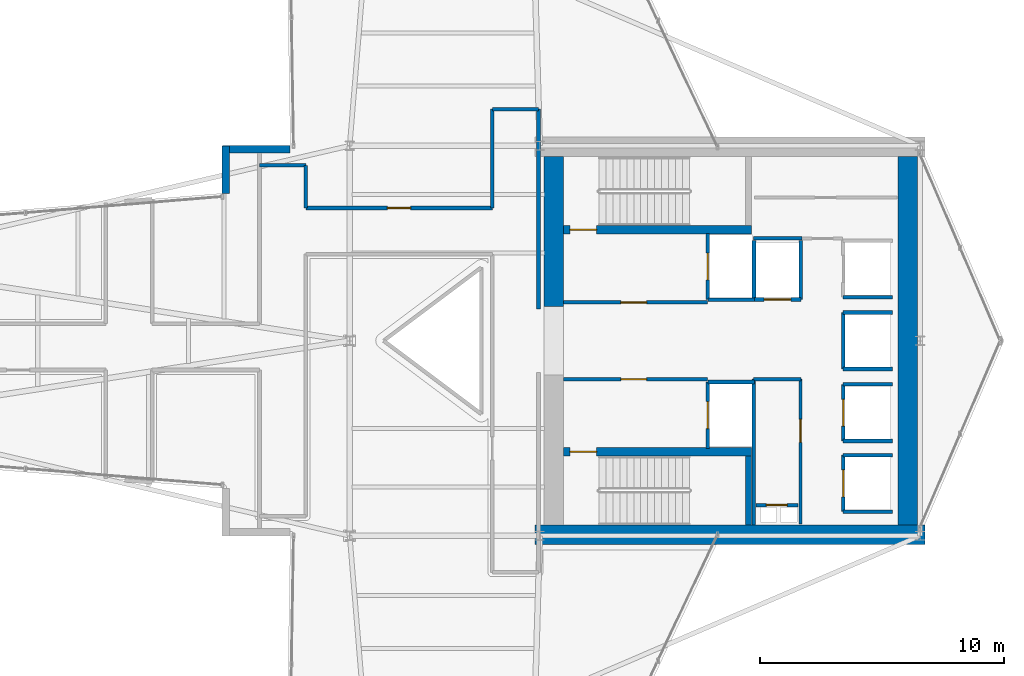
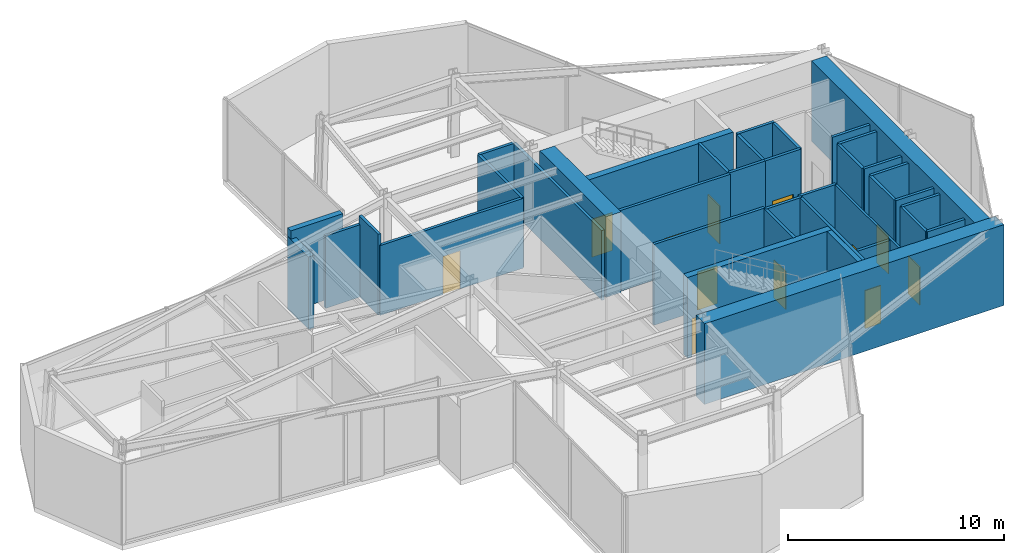
# One storey, part 10 of 13: 38 walls, 12 doors, 12 openings.
"""IFC4 building model written with IfcOpenShell, lengths in metres."""

from ifc_helpers import new_model, si_unit, direction, frame, frame_2d, origin, place, context, subcontext, project, spatial, rectangle, extrude, material, layer, layer_set, type_object, element, fill, save


model = new_model("IFC4")

# Units and contexts
model_context = context("Model", 3, precision=1e-05, world=origin(), true_north=direction((0.0, 1.0)))
body_context = subcontext(model_context, "Body", "Model", "MODEL_VIEW")
ifc_project = project(units=[si_unit("LENGTHUNIT", "METRE"), si_unit("AREAUNIT", "SQUARE_METRE"), si_unit("VOLUMEUNIT", "CUBIC_METRE"), si_unit("PLANEANGLEUNIT", "RADIAN"), si_unit("MASSUNIT", "GRAM", prefix="KILO")], contexts=[model_context])

# Site, building, storey
site_placement = place(None, origin())
site = spatial("IfcSite", under=ifc_project, at=site_placement, CompositionType="ELEMENT")
building_placement = place(site_placement, origin())
building = spatial("IfcBuilding", under=site, at=building_placement, Name="Veymaron Broadcast Tower", CompositionType="ELEMENT")
storey_placement = place(building_placement, frame((0.0, 0.0, 112.050048828125)))
storey = spatial("IfcBuildingStorey", under=building, at=storey_placement, Name="L25", CompositionType="ELEMENT", Elevation=112.050048828125)

# Walls
ifc_material_1 = material(Name="Precast concrete C40/50 with mineral-wool insulation", Category="concrete")
ifc_layer_1 = layer(ifc_material_1, 0.300048828125)
ifc_layer_set_1 = layer_set([ifc_layer_1], Name="Precast concrete C40/50 with mineral-wool insulation")
wall_type_1 = type_object("IfcWallType", Name="WALL-EXT-300", PredefinedType="STANDARD", material=ifc_layer_set_1)
wall_1_placement = place(storey_placement, frame((28.7626953125, 31.860107421875, 0.0), z_axis=(0.0, 0.0, 1.0), x_axis=(-1.0, 0.0, 0.0)))
element("IfcWall", 1, at=wall_1_placement, inside=storey, type_object=wall_type_1, Name="L25 notched corner facade pier 9-1", PredefinedType="STANDARD", context=body_context, shape_type="SweptSolid", body=[
    extrude(rectangle(XDim=2.78662109375, YDim=0.300048828125, at=frame_2d((1.393310546875, 0.0))), origin(), (0.0, 0.0, 1.0), 4.56005859375),
])
wall_2_placement = place(storey_placement, frame((26.115966796875, 32.0, 0.0), z_axis=(0.0, 0.0, 1.0), x_axis=(0.0, -1.0, 0.0)))
element("IfcWall", 2, at=wall_2_placement, inside=storey, type_object=wall_type_1, Name="L25 notched corner facade pier 10-1", PredefinedType="STANDARD", context=body_context, shape_type="SweptSolid", body=[
    extrude(rectangle(XDim=1.94873046875, YDim=0.300048828125, at=frame_2d((0.974365234375, 0.0))), origin(), (0.0, 0.0, 1.0), 4.087890625),
])

# Wall, opening, door
ifc_material_2 = material(Name="Gypsum fireboard and steel stud framing", Category="steel")
ifc_layer_2 = layer(ifc_material_2, 0.14990234375)
ifc_layer_set_2 = layer_set([ifc_layer_2], Name="Gypsum fireboard and steel stud framing")
wall_type_2 = type_object("IfcWallType", Name="WALL-FIRE-150", PredefinedType="PARTITIONING", material=ifc_layer_set_2)
wall_3_placement = place(storey_placement, frame((39.97998046875, 25.574951171875, 0.0), z_axis=(0.0, 0.0, 1.0), x_axis=(1.0, 0.0, 0.0)))
wall_3 = element("IfcWall", 3, at=wall_3_placement, inside=storey, type_object=wall_type_2, Name="L25 partition IW-L25-FFLN-S", PredefinedType="PARTITIONING", context=body_context, shape_type="SweptSolid", body=[
    extrude(rectangle(XDim=5.89990234375, YDim=0.14990234375, at=frame_2d((2.949951171875, 0.0))), origin(), (0.0, 0.0, 1.0), 4.56005859375),
])
opening_1_placement = place(wall_3_placement, frame((2.35009765625, 0.0, 0.0)))
opening_1 = element("IfcOpeningElement", 4, at=opening_1_placement, cuts=wall_3, Name="Opening ID-FL1", PredefinedType="OPENING", context=body_context, shape_type="SweptSolid", body=[
    extrude(rectangle(XDim=1.050048828125, YDim=2.14990234375, at=frame_2d((0.52490234375, 1.074951171875))), frame((0.0, 0.0849609375, 0.0), z_axis=(0.0, -1.0, 0.0), x_axis=(1.0, 0.0, 0.0)), (0.0, 0.0, 1.0), 0.169921875),
])
ifc_material_3 = material(Name="Fire-rated painted hollow steel ASTM A653", Category="steel")
door_type_1 = type_object("IfcDoorType", Name="DOOR-FIRE-1050", OperationType="NOTDEFINED", PredefinedType="DOOR", material=ifc_material_3)
door_1_placement = place(opening_1_placement, origin())
door_1 = element("IfcDoor", 5, at=door_1_placement, inside=storey, type_object=door_type_1, Name="L25 door DR-L25-FFLN", OperationType="SINGLE_SWING_LEFT", OverallHeight=2.14990234375, OverallWidth=1.050048828125, PredefinedType="DOOR", context=body_context, shape_type="SweptSolid", body=[
    extrude(rectangle(XDim=1.050048828125, YDim=2.14990234375, at=frame_2d((0.52490234375, 1.074951171875))), frame((0.0, 0.02490234375, 0.0), z_axis=(0.0, -1.0, 0.0), x_axis=(1.0, 0.0, 0.0)), (0.0, 0.0, 1.0), 0.050048828125),
])
fill(opening_1, door_1)

wall_4_placement = place(storey_placement, frame((39.97998046875, 22.425048828125, 0.0), z_axis=(0.0, 0.0, 1.0), x_axis=(1.0, 0.0, 0.0)))
wall_4 = element("IfcWall", 6, at=wall_4_placement, inside=storey, type_object=wall_type_2, Name="L25 partition IW-L25-FFLS-N", PredefinedType="PARTITIONING", context=body_context, shape_type="SweptSolid", body=[
    extrude(rectangle(XDim=5.89990234375, YDim=0.14990234375, at=frame_2d((2.949951171875, 0.0))), origin(), (0.0, 0.0, 1.0), 4.56005859375),
])
opening_2_placement = place(wall_4_placement, frame((2.35009765625, 0.0, 0.0)))
opening_2 = element("IfcOpeningElement", 7, at=opening_2_placement, cuts=wall_4, Name="Opening ID-FL1", PredefinedType="OPENING", context=body_context, shape_type="SweptSolid", body=[
    extrude(rectangle(XDim=1.050048828125, YDim=2.14990234375, at=frame_2d((0.52490234375, 1.074951171875))), frame((0.0, 0.0849609375, 0.0), z_axis=(0.0, -1.0, 0.0), x_axis=(1.0, 0.0, 0.0)), (0.0, 0.0, 1.0), 0.169921875),
])
door_2_placement = place(opening_2_placement, frame((1.050048828125, 0.0, 0.0), z_axis=(0.0, 0.0, 1.0), x_axis=(-1.0, 0.0, 0.0)))
door_2 = element("IfcDoor", 8, at=door_2_placement, inside=storey, type_object=door_type_1, Name="L25 door DR-L25-FFLS", OperationType="SINGLE_SWING_RIGHT", OverallHeight=2.14990234375, OverallWidth=1.050048828125, PredefinedType="DOOR", context=body_context, shape_type="SweptSolid", body=[
    extrude(rectangle(XDim=1.050048828125, YDim=2.14990234375, at=frame_2d((0.52490234375, 1.074951171875))), frame((0.0, 0.02490234375, 0.0), z_axis=(0.0, -1.0, 0.0), x_axis=(1.0, 0.0, 0.0)), (0.0, 0.0, 1.0), 0.050048828125),
])
fill(opening_2, door_2)

wall_5_placement = place(storey_placement, frame((45.89501953125, 25.68994140625, 0.0), z_axis=(0.0, 0.0, 1.0), x_axis=(0.0, 1.0, 0.0)))
wall_5 = element("IfcWall", 9, at=wall_5_placement, inside=storey, type_object=wall_type_2, Name="L25 partition IW-L25-SHW-FFL-1", PredefinedType="PARTITIONING", context=body_context, shape_type="SweptSolid", body=[
    extrude(rectangle(XDim=2.719970703125, YDim=0.14990234375, at=frame_2d((1.35986328125, 0.0))), origin(), (0.0, 0.0, 1.0), 4.56005859375),
])
opening_3_placement = place(wall_5_placement, frame((0.81005859375, 0.0, 0.0)))
opening_3 = element("IfcOpeningElement", 10, at=opening_3_placement, cuts=wall_5, Name="Opening LD", PredefinedType="OPENING", context=body_context, shape_type="SweptSolid", body=[
    extrude(rectangle(XDim=1.10009765625, YDim=2.14990234375, at=frame_2d((0.550048828125, 1.074951171875))), frame((0.0, 0.0849609375, 0.0), z_axis=(0.0, -1.0, 0.0), x_axis=(1.0, 0.0, 0.0)), (0.0, 0.0, 1.0), 0.169921875),
])
ifc_material_4 = material(Name="Brushed stainless steel AISI 304", Category="steel")
door_type_2 = type_object("IfcDoorType", Name="DOOR-LIFT-1100", OperationType="DOUBLE_DOOR_SLIDING", PredefinedType="DOOR", material=ifc_material_4)
door_3_placement = place(opening_3_placement, frame((1.10009765625, 0.0, 0.0), z_axis=(0.0, 0.0, 1.0), x_axis=(-1.0, 0.0, 0.0)))
door_3 = element("IfcDoor", 11, at=door_3_placement, inside=storey, type_object=door_type_2, Name="L25 door LD-L25-FFL-1", OperationType="DOUBLE_DOOR_SLIDING", OverallHeight=2.14990234375, OverallWidth=1.10009765625, PredefinedType="DOOR", context=body_context, shape_type="SweptSolid", body=[
    extrude(rectangle(XDim=1.10009765625, YDim=2.14990234375, at=frame_2d((0.550048828125, 1.074951171875))), frame((0.0, 0.02490234375, 0.0), z_axis=(0.0, -1.0, 0.0), x_axis=(1.0, 0.0, 0.0)), (0.0, 0.0, 1.0), 0.050048828125),
])
fill(opening_3, door_3)

# Wall
wall_6_placement = place(storey_placement, frame((45.89501953125, 25.68994140625, 0.0), z_axis=(0.0, 0.0, 1.0), x_axis=(1.0, 0.0, 0.0)))
element("IfcWall", 12, at=wall_6_placement, inside=storey, type_object=wall_type_2, Name="L25 partition IW-L25-SHS-FFL-1", PredefinedType="PARTITIONING", context=body_context, shape_type="SweptSolid", body=[
    extrude(rectangle(XDim=1.9150390625, YDim=0.14990234375, at=frame_2d((0.95751953125, 0.0))), origin(), (0.0, 0.0, 1.0), 4.56005859375),
])

# Wall, opening, door
wall_7_placement = place(storey_placement, frame((45.89501953125, 19.590087890625, 0.0), z_axis=(0.0, 0.0, 1.0), x_axis=(0.0, 1.0, 0.0)))
wall_7 = element("IfcWall", 13, at=wall_7_placement, inside=storey, type_object=wall_type_2, Name="L25 partition IW-L25-SHW-FFL-2", PredefinedType="PARTITIONING", context=body_context, shape_type="SweptSolid", body=[
    extrude(rectangle(XDim=2.719970703125, YDim=0.14990234375, at=frame_2d((1.35986328125, 0.0))), origin(), (0.0, 0.0, 1.0), 4.56005859375),
])
opening_4_placement = place(wall_7_placement, frame((0.81005859375, 0.0, 0.0)))
opening_4 = element("IfcOpeningElement", 14, at=opening_4_placement, cuts=wall_7, Name="Opening LD", PredefinedType="OPENING", context=body_context, shape_type="SweptSolid", body=[
    extrude(rectangle(XDim=1.10009765625, YDim=2.14990234375, at=frame_2d((0.550048828125, 1.074951171875))), frame((0.0, 0.0849609375, 0.0), z_axis=(0.0, -1.0, 0.0), x_axis=(1.0, 0.0, 0.0)), (0.0, 0.0, 1.0), 0.169921875),
])
door_4_placement = place(opening_4_placement, frame((1.10009765625, 0.0, 0.0), z_axis=(0.0, 0.0, 1.0), x_axis=(-1.0, 0.0, 0.0)))
door_4 = element("IfcDoor", 15, at=door_4_placement, inside=storey, type_object=door_type_2, Name="L25 door LD-L25-FFL-2", OperationType="DOUBLE_DOOR_SLIDING", OverallHeight=2.14990234375, OverallWidth=1.10009765625, PredefinedType="DOOR", context=body_context, shape_type="SweptSolid", body=[
    extrude(rectangle(XDim=1.10009765625, YDim=2.14990234375, at=frame_2d((0.550048828125, 1.074951171875))), frame((0.0, 0.02490234375, 0.0), z_axis=(0.0, -1.0, 0.0), x_axis=(1.0, 0.0, 0.0)), (0.0, 0.0, 1.0), 0.050048828125),
])
fill(opening_4, door_4)

# Wall
wall_8_placement = place(storey_placement, frame((45.89501953125, 22.31005859375, 0.0), z_axis=(0.0, 0.0, 1.0), x_axis=(1.0, 0.0, 0.0)))
element("IfcWall", 16, at=wall_8_placement, inside=storey, type_object=wall_type_2, Name="L25 partition IW-L25-SHN-FFL-2", PredefinedType="PARTITIONING", context=body_context, shape_type="SweptSolid", body=[
    extrude(rectangle(XDim=1.9150390625, YDim=0.14990234375, at=frame_2d((0.95751953125, 0.0))), origin(), (0.0, 0.0, 1.0), 4.56005859375),
])

# Wall, opening, door
wall_9_placement = place(storey_placement, frame((47.7900390625, 25.695068359375, 0.0), z_axis=(0.0, 0.0, 1.0), x_axis=(1.0, 0.0, 0.0)))
wall_9 = element("IfcWall", 17, at=wall_9_placement, inside=storey, type_object=wall_type_2, Name="L25 partition IW-L25-SHS-SL-1", PredefinedType="PARTITIONING", context=body_context, shape_type="SweptSolid", body=[
    extrude(rectangle(XDim=1.919921875, YDim=0.14990234375, at=frame_2d((0.9599609375, 0.0))), origin(), (0.0, 0.0, 1.0), 4.56005859375),
])
opening_5_placement = place(wall_9_placement, frame((0.409912109375, 0.0, 0.0)))
opening_5 = element("IfcOpeningElement", 18, at=opening_5_placement, cuts=wall_9, Name="Opening LD", PredefinedType="OPENING", context=body_context, shape_type="SweptSolid", body=[
    extrude(rectangle(XDim=1.10009765625, YDim=2.14990234375, at=frame_2d((0.550048828125, 1.074951171875))), frame((0.0, 0.0849609375, 0.0), z_axis=(0.0, -1.0, 0.0), x_axis=(1.0, 0.0, 0.0)), (0.0, 0.0, 1.0), 0.169921875),
])
door_5_placement = place(opening_5_placement, frame((1.10009765625, 0.0, 0.0), z_axis=(0.0, 0.0, 1.0), x_axis=(-1.0, 0.0, 0.0)))
door_5 = element("IfcDoor", 19, at=door_5_placement, inside=storey, type_object=door_type_2, Name="L25 door LD-L25-SL-1", OperationType="DOUBLE_DOOR_SLIDING", OverallHeight=2.14990234375, OverallWidth=1.10009765625, PredefinedType="DOOR", context=body_context, shape_type="SweptSolid", body=[
    extrude(rectangle(XDim=1.10009765625, YDim=2.14990234375, at=frame_2d((0.550048828125, 1.074951171875))), frame((0.0, 0.02490234375, 0.0), z_axis=(0.0, -1.0, 0.0), x_axis=(1.0, 0.0, 0.0)), (0.0, 0.0, 1.0), 0.050048828125),
])
fill(opening_5, door_5)

# Walls
for number, where, z_axis, x_axis, name in (
    (20, (47.7900390625, 25.695068359375, 0.0), (0.0, 0.0, 1.0), (0.0, 1.0, 0.0), "L25 partition IW-L25-SHW-SL-1"),
    (21, (49.7099609375, 25.695068359375, 0.0), (0.0, 0.0, 1.0), (0.0, 1.0, 0.0), "L25 partition IW-L25-SHE-SL-1"),
):
    element("IfcWall", number, at=place(storey_placement, frame(where, z_axis=z_axis, x_axis=x_axis)), inside=storey, type_object=wall_type_2, Name=name, PredefinedType="PARTITIONING", context=body_context, shape_type="SweptSolid", body=[
        extrude(rectangle(XDim=2.4150390625, YDim=0.14990234375, at=frame_2d((1.20751953125, 0.0))), origin(), (0.0, 0.0, 1.0), 4.56005859375),
    ])
wall_10_placement = place(storey_placement, frame((51.445068359375, 25.7900390625, 0.0), z_axis=(0.0, 0.0, 1.0), x_axis=(1.0, 0.0, 0.0)))
element("IfcWall", 22, at=wall_10_placement, inside=storey, type_object=wall_type_2, Name="L25 partition IW-L25-SHS-PM1", PredefinedType="PARTITIONING", context=body_context, shape_type="SweptSolid", body=[
    extrude(rectangle(XDim=2.014892578125, YDim=0.14990234375, at=frame_2d((1.00732421875, 0.0))), origin(), (0.0, 0.0, 1.0), 4.56005859375),
])

# Wall, opening, door
wall_11_placement = place(storey_placement, frame((51.445068359375, 19.889892578125, 0.0), z_axis=(0.0, 0.0, 1.0), x_axis=(0.0, 1.0, 0.0)))
wall_11 = element("IfcWall", 23, at=wall_11_placement, inside=storey, type_object=wall_type_2, Name="L25 partition IW-L25-SHW-PM2", PredefinedType="PARTITIONING", context=body_context, shape_type="SweptSolid", body=[
    extrude(rectangle(XDim=2.320068359375, YDim=0.14990234375, at=frame_2d((1.16015625, 0.0))), origin(), (0.0, 0.0, 1.0), 4.56005859375),
])
opening_6_placement = place(wall_11_placement, frame((0.610107421875, 0.0, 0.0)))
opening_6 = element("IfcOpeningElement", 24, at=opening_6_placement, cuts=wall_11, Name="Opening LD", PredefinedType="OPENING", context=body_context, shape_type="SweptSolid", body=[
    extrude(rectangle(XDim=1.10009765625, YDim=2.14990234375, at=frame_2d((0.550048828125, 1.074951171875))), frame((0.0, 0.0849609375, 0.0), z_axis=(0.0, -1.0, 0.0), x_axis=(1.0, 0.0, 0.0)), (0.0, 0.0, 1.0), 0.169921875),
])
door_6_placement = place(opening_6_placement, frame((1.10009765625, 0.0, 0.0), z_axis=(0.0, 0.0, 1.0), x_axis=(-1.0, 0.0, 0.0)))
door_6 = element("IfcDoor", 25, at=door_6_placement, inside=storey, type_object=door_type_2, Name="L25 door LD-L25-PM2", OperationType="DOUBLE_DOOR_SLIDING", OverallHeight=2.14990234375, OverallWidth=1.10009765625, PredefinedType="DOOR", context=body_context, shape_type="SweptSolid", body=[
    extrude(rectangle(XDim=1.10009765625, YDim=2.14990234375, at=frame_2d((0.550048828125, 1.074951171875))), frame((0.0, 0.02490234375, 0.0), z_axis=(0.0, -1.0, 0.0), x_axis=(1.0, 0.0, 0.0)), (0.0, 0.0, 1.0), 0.050048828125),
])
fill(opening_6, door_6)

# Walls
for number, where, z_axis, x_axis, name in (
    (26, (51.445068359375, 19.889892578125, 0.0), (0.0, 0.0, 1.0), (1.0, 0.0, 0.0), "L25 partition IW-L25-SHS-PM2"),
    (27, (51.445068359375, 22.2099609375, 0.0), (0.0, 0.0, 1.0), (1.0, 0.0, 0.0), "L25 partition IW-L25-SHN-PM2"),
):
    element("IfcWall", number, at=place(storey_placement, frame(where, z_axis=z_axis, x_axis=x_axis)), inside=storey, type_object=wall_type_2, Name=name, PredefinedType="PARTITIONING", context=body_context, shape_type="SweptSolid", body=[
        extrude(rectangle(XDim=2.014892578125, YDim=0.14990234375, at=frame_2d((1.00732421875, 0.0))), origin(), (0.0, 0.0, 1.0), 4.56005859375),
    ])
wall_12_placement = place(storey_placement, frame((51.445068359375, 22.840087890625, 0.0), z_axis=(0.0, 0.0, 1.0), x_axis=(0.0, 1.0, 0.0)))
element("IfcWall", 28, at=wall_12_placement, inside=storey, type_object=wall_type_2, Name="L25 partition IW-L25-SHW-PM3", PredefinedType="PARTITIONING", context=body_context, shape_type="SweptSolid", body=[
    extrude(rectangle(XDim=2.31982421875, YDim=0.14990234375, at=frame_2d((1.159912109375, 0.0))), origin(), (0.0, 0.0, 1.0), 4.56005859375),
])
for number, where, z_axis, x_axis, name in (
    (29, (51.445068359375, 22.840087890625, 0.0), (0.0, 0.0, 1.0), (1.0, 0.0, 0.0), "L25 partition IW-L25-SHS-PM3"),
    (30, (51.445068359375, 25.159912109375, 0.0), (0.0, 0.0, 1.0), (1.0, 0.0, 0.0), "L25 partition IW-L25-SHN-PM3"),
):
    element("IfcWall", number, at=place(storey_placement, frame(where, z_axis=z_axis, x_axis=x_axis)), inside=storey, type_object=wall_type_2, Name=name, PredefinedType="PARTITIONING", context=body_context, shape_type="SweptSolid", body=[
        extrude(rectangle(XDim=2.014892578125, YDim=0.14990234375, at=frame_2d((1.00732421875, 0.0))), origin(), (0.0, 0.0, 1.0), 4.56005859375),
    ])

# Wall, opening, door
wall_13_placement = place(storey_placement, frame((51.445068359375, 16.989990234375, 0.0), z_axis=(0.0, 0.0, 1.0), x_axis=(0.0, 1.0, 0.0)))
wall_13 = element("IfcWall", 31, at=wall_13_placement, inside=storey, type_object=wall_type_2, Name="L25 partition IW-L25-SHW-PH1", PredefinedType="PARTITIONING", context=body_context, shape_type="SweptSolid", body=[
    extrude(rectangle(XDim=2.320068359375, YDim=0.14990234375, at=frame_2d((1.16015625, 0.0))), origin(), (0.0, 0.0, 1.0), 4.56005859375),
])
opening_7_placement = place(wall_13_placement, frame((0.610107421875, 0.0, 0.0)))
opening_7 = element("IfcOpeningElement", 32, at=opening_7_placement, cuts=wall_13, Name="Opening LD", PredefinedType="OPENING", context=body_context, shape_type="SweptSolid", body=[
    extrude(rectangle(XDim=1.10009765625, YDim=2.14990234375, at=frame_2d((0.550048828125, 1.074951171875))), frame((0.0, 0.0849609375, 0.0), z_axis=(0.0, -1.0, 0.0), x_axis=(1.0, 0.0, 0.0)), (0.0, 0.0, 1.0), 0.169921875),
])
door_7_placement = place(opening_7_placement, frame((1.10009765625, 0.0, 0.0), z_axis=(0.0, 0.0, 1.0), x_axis=(-1.0, 0.0, 0.0)))
door_7 = element("IfcDoor", 33, at=door_7_placement, inside=storey, type_object=door_type_2, Name="L25 door LD-L25-PH1", OperationType="DOUBLE_DOOR_SLIDING", OverallHeight=2.14990234375, OverallWidth=1.10009765625, PredefinedType="DOOR", context=body_context, shape_type="SweptSolid", body=[
    extrude(rectangle(XDim=1.10009765625, YDim=2.14990234375, at=frame_2d((0.550048828125, 1.074951171875))), frame((0.0, 0.02490234375, 0.0), z_axis=(0.0, -1.0, 0.0), x_axis=(1.0, 0.0, 0.0)), (0.0, 0.0, 1.0), 0.050048828125),
])
fill(opening_7, door_7)

# Walls
for number, where, z_axis, x_axis, name in (
    (34, (51.445068359375, 16.989990234375, 0.0), (0.0, 0.0, 1.0), (1.0, 0.0, 0.0), "L25 partition IW-L25-SHS-PH1"),
    (35, (51.445068359375, 19.31005859375, 0.0), (0.0, 0.0, 1.0), (1.0, 0.0, 0.0), "L25 partition IW-L25-SHN-PH1"),
):
    element("IfcWall", number, at=place(storey_placement, frame(where, z_axis=z_axis, x_axis=x_axis)), inside=storey, type_object=wall_type_2, Name=name, PredefinedType="PARTITIONING", context=body_context, shape_type="SweptSolid", body=[
        extrude(rectangle(XDim=2.014892578125, YDim=0.14990234375, at=frame_2d((1.00732421875, 0.0))), origin(), (0.0, 0.0, 1.0), 4.56005859375),
    ])

# Wall, opening, door
wall_14_placement = place(storey_placement, frame((47.8798828125, 17.260009765625, 0.0), z_axis=(0.0, 0.0, 1.0), x_axis=(1.0, 0.0, 0.0)))
wall_14 = element("IfcWall", 36, at=wall_14_placement, inside=storey, type_object=wall_type_2, Name="L25 partition IW-L25-RIS-N", PredefinedType="PARTITIONING", context=body_context, shape_type="SweptSolid", body=[
    extrude(rectangle(XDim=1.72021484375, YDim=0.14990234375, at=frame_2d((0.860107421875, 0.0))), origin(), (0.0, 0.0, 1.0), 4.56005859375),
])
opening_8_placement = place(wall_14_placement, frame((0.419921875, 0.0, 0.0)))
opening_8 = element("IfcOpeningElement", 37, at=opening_8_placement, cuts=wall_14, Name="Opening ID-RS1", PredefinedType="OPENING", context=body_context, shape_type="SweptSolid", body=[
    extrude(rectangle(XDim=0.85009765625, YDim=2.14990234375, at=frame_2d((0.425048828125, 1.074951171875))), frame((0.0, 0.0849609375, 0.0), z_axis=(0.0, -1.0, 0.0), x_axis=(1.0, 0.0, 0.0)), (0.0, 0.0, 1.0), 0.169921875),
])
ifc_material_5 = material(Name="Fire-rated powder-coated steel riser leaf", Category="steel")
door_type_3 = type_object("IfcDoorType", Name="DOOR-RIS-850", OperationType="NOTDEFINED", PredefinedType="TRAPDOOR", material=ifc_material_5)
door_8_placement = place(opening_8_placement, origin())
door_8 = element("IfcDoor", 38, at=door_8_placement, inside=storey, type_object=door_type_3, Name="L25 door DR-L25-RIS", OperationType="SINGLE_SWING_LEFT", OverallHeight=2.14990234375, OverallWidth=0.85009765625, PredefinedType="TRAPDOOR", context=body_context, shape_type="SweptSolid", body=[
    extrude(rectangle(XDim=0.85009765625, YDim=2.14990234375, at=frame_2d((0.425048828125, 1.074951171875))), frame((0.0, 0.02490234375, 0.0), z_axis=(0.0, -1.0, 0.0), x_axis=(1.0, 0.0, 0.0)), (0.0, 0.0, 1.0), 0.050048828125),
])
fill(opening_8, door_8)

# Walls
wall_15_placement = place(storey_placement, frame((47.760009765625, 22.425048828125, 0.0), z_axis=(0.0, 0.0, 1.0), x_axis=(1.0, 0.0, 0.0)))
element("IfcWall", 39, at=wall_15_placement, inside=storey, type_object=wall_type_2, Name="L25 partition IW-L25-SM-N", PredefinedType="PARTITIONING", context=body_context, shape_type="SweptSolid", body=[
    extrude(rectangle(XDim=1.9599609375, YDim=0.14990234375, at=frame_2d((0.97998046875, 0.0))), origin(), (0.0, 0.0, 1.0), 4.56005859375),
])
wall_16_placement = place(storey_placement, frame((47.780029296875, 16.449951171875, 0.0), z_axis=(0.0, 0.0, 1.0), x_axis=(0.0, 1.0, 0.0)))
element("IfcWall", 40, at=wall_16_placement, inside=storey, type_object=wall_type_2, Name="L25 partition IW-L25-SM-W", PredefinedType="PARTITIONING", context=body_context, shape_type="SweptSolid", body=[
    extrude(rectangle(XDim=5.97509765625, YDim=0.14990234375, at=frame_2d((2.987548828125, 0.0))), origin(), (0.0, 0.0, 1.0), 4.56005859375),
])
wall_17_placement = place(storey_placement, frame((47.760009765625, 28.199951171875, 0.0), z_axis=(0.0, 0.0, 1.0), x_axis=(1.0, 0.0, 0.0)))
element("IfcWall", 41, at=wall_17_placement, inside=storey, type_object=wall_type_2, Name="L25 partition IW-L25-F1-SW", PredefinedType="PARTITIONING", context=body_context, shape_type="SweptSolid", body=[
    extrude(rectangle(XDim=1.989990234375, YDim=0.14990234375, at=frame_2d((0.9951171875, 0.0))), origin(), (0.0, 0.0, 1.0), 4.56005859375),
])

# Wall, opening, door
wall_18_placement = place(storey_placement, frame((29.39990234375, 29.449951171875, 0.0), z_axis=(0.0, 0.0, 1.0), x_axis=(1.0, 0.0, 0.0)))
wall_18 = element("IfcWall", 42, at=wall_18_placement, inside=storey, type_object=wall_type_2, Name="L25 partition IW-L25-P17", PredefinedType="PARTITIONING", context=body_context, shape_type="SweptSolid", body=[
    extrude(rectangle(XDim=7.650146484375, YDim=0.14990234375, at=frame_2d((3.8251953125, 0.0))), origin(), (0.0, 0.0, 1.0), 3.93994140625),
])
opening_9_placement = place(wall_18_placement, frame((3.35009765625, 0.0, 0.0)))
opening_9 = element("IfcOpeningElement", 43, at=opening_9_placement, cuts=wall_18, Name="Opening ID-RM1", PredefinedType="OPENING", context=body_context, shape_type="SweptSolid", body=[
    extrude(rectangle(XDim=0.949951171875, YDim=2.14990234375, at=frame_2d((0.47509765625, 1.074951171875))), frame((0.0, 0.0849609375, 0.0), z_axis=(0.0, -1.0, 0.0), x_axis=(1.0, 0.0, 0.0)), (0.0, 0.0, 1.0), 0.169921875),
])
ifc_material_6 = material(Name="Acoustic solid-core European oak veneer timber", Category="wood")
door_type_4 = type_object("IfcDoorType", Name="DOOR-INT-950", OperationType="NOTDEFINED", PredefinedType="DOOR", material=ifc_material_6)
door_9_placement = place(opening_9_placement, origin())
door_9 = element("IfcDoor", 44, at=door_9_placement, inside=storey, type_object=door_type_4, Name="L25 door DR-L25-P17", OperationType="SINGLE_SWING_RIGHT", OverallHeight=2.14990234375, OverallWidth=0.949951171875, PredefinedType="DOOR", context=body_context, shape_type="SweptSolid", body=[
    extrude(rectangle(XDim=0.949951171875, YDim=2.14990234375, at=frame_2d((0.47509765625, 1.074951171875))), frame((0.0, 0.02490234375, 0.0), z_axis=(0.0, -1.0, 0.0), x_axis=(1.0, 0.0, 0.0)), (0.0, 0.0, 1.0), 0.050048828125),
])
fill(opening_9, door_9)

# Walls
wall_19_placement = place(storey_placement, frame((38.949951171875, 25.300048828125, 0.0), z_axis=(0.0, 0.0, 1.0), x_axis=(0.0, 1.0, 0.0)))
element("IfcWall", 45, at=wall_19_placement, inside=storey, type_object=wall_type_2, Name="L25 partition IW-L25-P16", PredefinedType="PARTITIONING", context=body_context, shape_type="SweptSolid", body=[
    extrude(rectangle(XDim=8.199951171875, YDim=0.14990234375, at=frame_2d((4.10009765625, 0.0))), origin(), (0.0, 0.0, 1.0), 3.93994140625),
])
wall_20_placement = place(storey_placement, frame((37.050048828125, 29.449951171875, 0.0), z_axis=(0.0, 0.0, 1.0), x_axis=(0.0, 1.0, 0.0)))
element("IfcWall", 46, at=wall_20_placement, inside=storey, type_object=wall_type_2, Name="L25 partition IW-L25-P21", PredefinedType="PARTITIONING", context=body_context, shape_type="SweptSolid", body=[
    extrude(rectangle(XDim=4.050048828125, YDim=0.14990234375, at=frame_2d((2.02490234375, 0.0))), origin(), (0.0, 0.0, 1.0), 3.93994140625),
])
wall_21_placement = place(storey_placement, frame((37.050048828125, 33.5, 0.0), z_axis=(0.0, 0.0, 1.0), x_axis=(1.0, 0.0, 0.0)))
element("IfcWall", 47, at=wall_21_placement, inside=storey, type_object=wall_type_2, Name="L25 partition IW-L25-P22", PredefinedType="PARTITIONING", context=body_context, shape_type="SweptSolid", body=[
    extrude(rectangle(XDim=1.89990234375, YDim=0.14990234375, at=frame_2d((0.949951171875, 0.0))), origin(), (0.0, 0.0, 1.0), 3.93994140625),
])
wall_22_placement = place(storey_placement, frame((27.5, 31.199951171875, 0.0), z_axis=(0.0, 0.0, 1.0), x_axis=(1.0, 0.0, 0.0)))
element("IfcWall", 48, at=wall_22_placement, inside=storey, type_object=wall_type_2, Name="L25 partition IW-L25-P23", PredefinedType="PARTITIONING", context=body_context, shape_type="SweptSolid", body=[
    extrude(rectangle(XDim=1.89990234375, YDim=0.14990234375, at=frame_2d((0.949951171875, 0.0))), origin(), (0.0, 0.0, 1.0), 4.087890625),
])
wall_23_placement = place(storey_placement, frame((29.39990234375, 29.449951171875, 0.0), z_axis=(0.0, 0.0, 1.0), x_axis=(0.0, 1.0, 0.0)))
element("IfcWall", 49, at=wall_23_placement, inside=storey, type_object=wall_type_2, Name="L25 partition IW-L25-P24", PredefinedType="PARTITIONING", context=body_context, shape_type="SweptSolid", body=[
    extrude(rectangle(XDim=1.75, YDim=0.14990234375, at=frame_2d((0.875, 0.0))), origin(), (0.0, 0.0, 1.0), 4.56005859375),
])

# Wall, opening, door
ifc_material_7 = material(Name="Acoustic gypsum board and galvanized stud", Category="gypsum")
ifc_layer_3 = layer(ifc_material_7, 0.1201171875)
ifc_layer_set_3 = layer_set([ifc_layer_3], Name="Acoustic gypsum board and galvanized stud")
wall_type_3 = type_object("IfcWallType", Name="WALL-PART-120", PredefinedType="PARTITIONING", material=ifc_layer_set_3)
wall_24_placement = place(storey_placement, frame((49.699951171875, 16.47998046875, 0.0), z_axis=(0.0, 0.0, 1.0), x_axis=(0.0, 1.0, 0.0)))
wall_24 = element("IfcWall", 50, at=wall_24_placement, inside=storey, type_object=wall_type_3, Name="L25 partition IW-L25-SM-E", PredefinedType="PARTITIONING", context=body_context, shape_type="SweptSolid", body=[
    extrude(rectangle(XDim=5.945068359375, YDim=0.1201171875, at=frame_2d((2.97265625, 0.0))), origin(), (0.0, 0.0, 1.0), 4.56005859375),
])
opening_10_placement = place(wall_24_placement, frame((3.35009765625, 0.0, 0.0)))
opening_10 = element("IfcOpeningElement", 51, at=opening_10_placement, cuts=wall_24, Name="Opening ID-RM1", PredefinedType="OPENING", context=body_context, shape_type="SweptSolid", body=[
    extrude(rectangle(XDim=0.949951171875, YDim=2.14990234375, at=frame_2d((0.47509765625, 1.074951171875))), frame((0.0, 0.070068359375, 0.0), z_axis=(0.0, -1.0, 0.0), x_axis=(1.0, 0.0, 0.0)), (0.0, 0.0, 1.0), 0.14013671875),
])
door_10_placement = place(opening_10_placement, frame((0.949951171875, 0.0, 0.0), z_axis=(0.0, 0.0, 1.0), x_axis=(-1.0, 0.0, 0.0)))
door_10 = element("IfcDoor", 52, at=door_10_placement, inside=storey, type_object=door_type_4, Name="L25 door DR-L25-AWC", OperationType="SINGLE_SWING_LEFT", OverallHeight=2.14990234375, OverallWidth=0.949951171875, PredefinedType="DOOR", context=body_context, shape_type="SweptSolid", body=[
    extrude(rectangle(XDim=0.949951171875, YDim=2.14990234375, at=frame_2d((0.47509765625, 1.074951171875))), frame((0.0, 0.02490234375, 0.0), z_axis=(0.0, -1.0, 0.0), x_axis=(1.0, 0.0, 0.0)), (0.0, 0.0, 1.0), 0.050048828125),
])
fill(opening_10, door_10)

# Wall
ifc_material_8 = material(Name="Concrete C50/60", Category="concrete")
ifc_layer_4 = layer(ifc_material_8, 0.25)
ifc_layer_set_4 = layer_set([ifc_layer_4], Name="Concrete C50/60")
wall_type_4 = type_object("IfcWallType", Name="WALL-SHEAR-250", PredefinedType="SHEAR", material=ifc_layer_set_4)
wall_25_placement = place(storey_placement, frame((47.56494140625, 16.449951171875, 0.0), z_axis=(0.0, 0.0, 1.0), x_axis=(0.0, 1.0, 0.0)))
element("IfcWall", 53, at=wall_25_placement, inside=storey, type_object=wall_type_4, Name="L25 Core Wall south stair east shear", PredefinedType="SHEAR", context=body_context, shape_type="SweptSolid", body=[
    extrude(rectangle(XDim=2.820068359375, YDim=0.25, at=frame_2d((1.41015625, 0.0))), origin(), (0.0, 0.0, 1.0), 4.56005859375),
])

# Wall, opening, door
ifc_layer_5 = layer(ifc_material_8, 0.35009765625)
ifc_layer_set_5 = layer_set([ifc_layer_5], Name="Concrete C50/60")
wall_type_5 = type_object("IfcWallType", Name="WALL-SHEAR-350", PredefinedType="SHEAR", material=ifc_layer_set_5)
wall_26_placement = place(storey_placement, frame((39.97998046875, 28.554931640625, 0.0), z_axis=(0.0, 0.0, 1.0), x_axis=(1.0, 0.0, 0.0)))
wall_26 = element("IfcWall", 54, at=wall_26_placement, inside=storey, type_object=wall_type_5, Name="L25 Core Wall north stair spine", PredefinedType="SHEAR", context=body_context, shape_type="SweptSolid", body=[
    extrude(rectangle(XDim=7.7099609375, YDim=0.35009765625, at=frame_2d((3.85498046875, 0.0))), origin(), (0.0, 0.0, 1.0), 4.56005859375),
])
opening_11_placement = place(wall_26_placement, frame((0.25, 0.0, 0.0)))
opening_11 = element("IfcOpeningElement", 55, at=opening_11_placement, cuts=wall_26, Name="Opening ID-ST1", PredefinedType="OPENING", context=body_context, shape_type="SweptSolid", body=[
    extrude(rectangle(XDim=1.10009765625, YDim=2.14990234375, at=frame_2d((0.550048828125, 1.074951171875))), frame((0.0, 0.18505859375, 0.0), z_axis=(0.0, -1.0, 0.0), x_axis=(1.0, 0.0, 0.0)), (0.0, 0.0, 1.0), 0.3701171875),
])
door_type_5 = type_object("IfcDoorType", Name="DOOR-STAIR-1100", OperationType="NOTDEFINED", PredefinedType="DOOR", material=ifc_material_3)
door_11_placement = place(opening_11_placement, origin())
door_11 = element("IfcDoor", 56, at=door_11_placement, inside=storey, type_object=door_type_5, Name="L25 exit stair ST1 fire door", OperationType="SINGLE_SWING_RIGHT", OverallHeight=2.14990234375, OverallWidth=1.10009765625, PredefinedType="DOOR", context=body_context, shape_type="SweptSolid", body=[
    extrude(rectangle(XDim=1.10009765625, YDim=2.14990234375, at=frame_2d((0.550048828125, 1.074951171875))), frame((0.0, 0.02490234375, 0.0), z_axis=(0.0, -1.0, 0.0), x_axis=(1.0, 0.0, 0.0)), (0.0, 0.0, 1.0), 0.050048828125),
])
fill(opening_11, door_11)

wall_27_placement = place(storey_placement, frame((39.97998046875, 19.445068359375, 0.0), z_axis=(0.0, 0.0, 1.0), x_axis=(1.0, 0.0, 0.0)))
wall_27 = element("IfcWall", 57, at=wall_27_placement, inside=storey, type_object=wall_type_5, Name="L25 Core Wall south stair spine", PredefinedType="SHEAR", context=body_context, shape_type="SweptSolid", body=[
    extrude(rectangle(XDim=7.7099609375, YDim=0.35009765625, at=frame_2d((3.85498046875, 0.0))), origin(), (0.0, 0.0, 1.0), 4.56005859375),
])
opening_12_placement = place(wall_27_placement, frame((0.25, 0.0, 0.0)))
opening_12 = element("IfcOpeningElement", 58, at=opening_12_placement, cuts=wall_27, Name="Opening ID-ST1", PredefinedType="OPENING", context=body_context, shape_type="SweptSolid", body=[
    extrude(rectangle(XDim=1.10009765625, YDim=2.14990234375, at=frame_2d((0.550048828125, 1.074951171875))), frame((0.0, 0.18505859375, 0.0), z_axis=(0.0, -1.0, 0.0), x_axis=(1.0, 0.0, 0.0)), (0.0, 0.0, 1.0), 0.3701171875),
])
door_12_placement = place(opening_12_placement, frame((1.10009765625, 0.0, 0.0), z_axis=(0.0, 0.0, 1.0), x_axis=(-1.0, 0.0, 0.0)))
door_12 = element("IfcDoor", 59, at=door_12_placement, inside=storey, type_object=door_type_5, Name="L25 exit stair ST2 fire door", OperationType="SINGLE_SWING_LEFT", OverallHeight=2.14990234375, OverallWidth=1.10009765625, PredefinedType="DOOR", context=body_context, shape_type="SweptSolid", body=[
    extrude(rectangle(XDim=1.10009765625, YDim=2.14990234375, at=frame_2d((0.550048828125, 1.074951171875))), frame((0.0, 0.02490234375, 0.0), z_axis=(0.0, -1.0, 0.0), x_axis=(1.0, 0.0, 0.0)), (0.0, 0.0, 1.0), 0.050048828125),
])
fill(opening_12, door_12)

# Walls
ifc_material_9 = material(Name="Concrete C60/75", Category="concrete")
ifc_layer_6 = layer(ifc_material_9, 0.800048828125)
ifc_layer_set_6 = layer_set([ifc_layer_6], Name="Concrete C60/75")
wall_type_6 = type_object("IfcWallType", Name="WALL-SHEAR-800", PredefinedType="SHEAR", material=ifc_layer_set_6)
wall_28_placement = place(storey_placement, frame((38.800048828125, 16.050048828125, 0.0), z_axis=(0.0, 0.0, 1.0), x_axis=(1.0, 0.0, 0.0)))
element("IfcWall", 60, at=wall_28_placement, inside=storey, type_object=wall_type_6, Name="L25 Core Wall south shear", PredefinedType="SHEAR", context=body_context, shape_type="SweptSolid", body=[
    extrude(rectangle(XDim=16.0, YDim=0.800048828125, at=frame_2d((8.0, 0.0))), origin(), (0.0, 0.0, 1.0), 4.56005859375),
])
wall_29_placement = place(storey_placement, frame((39.580078125, 25.39990234375, 0.0), z_axis=(0.0, 0.0, 1.0), x_axis=(0.0, 1.0, 0.0)))
element("IfcWall", 61, at=wall_29_placement, inside=storey, type_object=wall_type_6, Name="L25 Core Wall west-north shear", PredefinedType="SHEAR", context=body_context, shape_type="SweptSolid", body=[
    extrude(rectangle(XDim=6.150146484375, YDim=0.800048828125, at=frame_2d((3.0751953125, 0.0))), origin(), (0.0, 0.0, 1.0), 4.56005859375),
])
wall_30_placement = place(storey_placement, frame((54.10009765625, 16.449951171875, 0.0), z_axis=(0.0, 0.0, 1.0), x_axis=(0.0, 1.0, 0.0)))
element("IfcWall", 62, at=wall_30_placement, inside=storey, type_object=wall_type_6, Name="L25 Core Wall east shear", PredefinedType="SHEAR", context=body_context, shape_type="SweptSolid", body=[
    extrude(rectangle(XDim=15.10009765625, YDim=0.800048828125, at=frame_2d((7.550048828125, 0.0))), origin(), (0.0, 0.0, 1.0), 4.56005859375),
])

save(model, "model.ifc")
